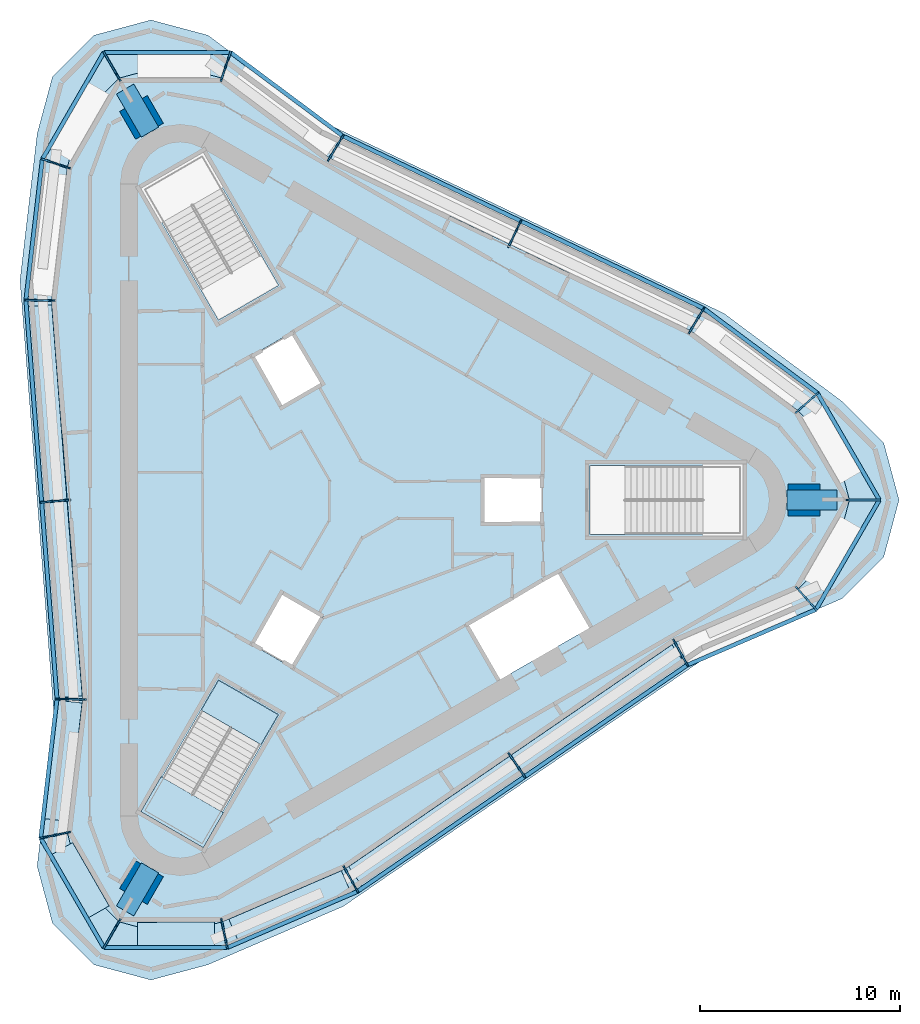
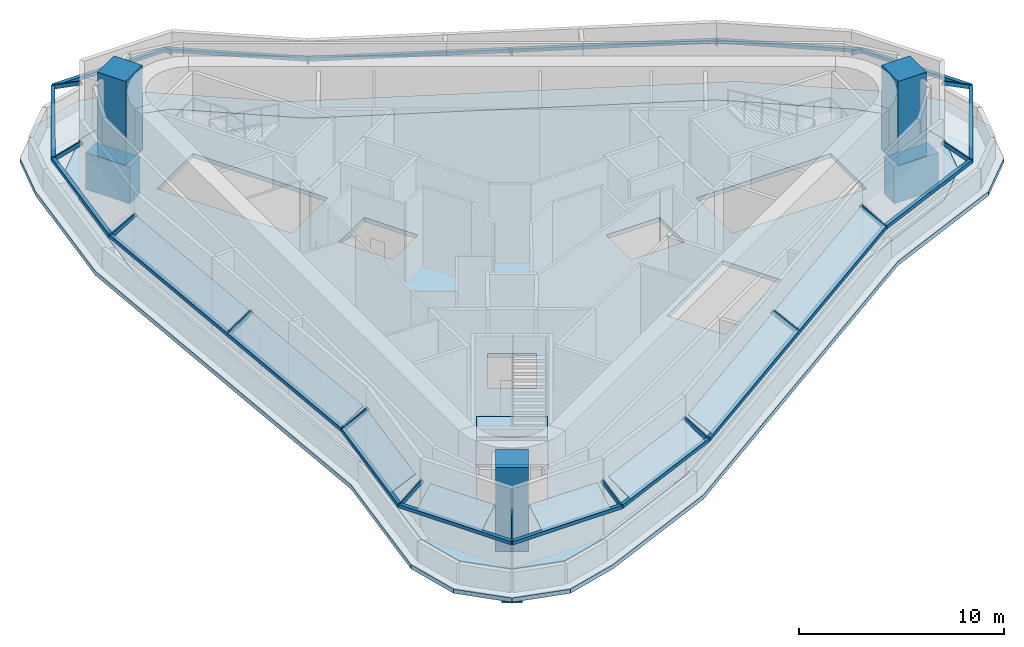
# One storey, part 1 of 7: 33 members, 8 plates, 4 slabs, 3 beams, 3 columns, 2 elements without a shape of their own.
"""IFC4 building model written with IfcOpenShell, lengths in metres."""

import ifcopenshell
import ifcopenshell.guid

model = None  # the IFC model being written
_history = None  # IfcOwnerHistory: only IFC2X3 demands one
_inside = {}  # id of a spatial element -> (the spatial element, [elements in it])
_under = {}  # id of a project, library or spatial element -> (it, [spatial elements below it])
_declared = {}  # id of a project -> (the project, [libraries it declares])
_typed = {}  # id of a type object -> (the type object, [elements of that type])
_made_of = {}  # id of a material, layer set ... -> (it, [elements and type objects made of it])


def new_model(schema):
    """Start an empty IFC model of exactly this schema.

    Asked for "IFC4X3", IfcOpenShell would pick the latest addendum, in which some entities
    have other attributes; the version numbers below select the first issue.
    IFC2X3 requires an IfcOwnerHistory on every rooted entity: one is made here for all.
    """
    global model, _history
    if schema == "IFC4X3":
        model = ifcopenshell.file(schema_version=(4, 3, 0, 0))
    else:
        model = ifcopenshell.file(schema=schema)
    _inside.clear()
    _under.clear()
    _declared.clear()
    _typed.clear()
    _made_of.clear()
    _history = None
    if model.schema == "IFC2X3":
        org = make("IfcOrganization", Name="unknown")
        user = make(
            "IfcPersonAndOrganization",
            ThePerson=make("IfcPerson", FamilyName="unknown"),
            TheOrganization=org,
        )
        app = make(
            "IfcApplication",
            ApplicationDeveloper=org,
            Version="unknown",
            ApplicationFullName="unknown",
            ApplicationIdentifier="unknown",
        )
        _history = make(
            "IfcOwnerHistory",
            OwningUser=user,
            OwningApplication=app,
            ChangeAction="ADDED",
            CreationDate=0,
        )
    return model


def make(cls, **values):
    """One entity of the class cls with the attributes given. An attribute that is None is left unset."""
    return model.create_entity(
        cls, **{name: value for name, value in values.items() if value is not None}
    )


def rooted(cls, **values):
    """An entity with a GlobalId (a new one), such as an element, a storey or a relation."""
    return make(cls, GlobalId=ifcopenshell.guid.new(), OwnerHistory=_history, **values)


def si_unit(unit_type, name, prefix=None):
    """IfcSIUnit, for example si_unit("LENGTHUNIT", "METRE", prefix="MILLI")."""
    return make("IfcSIUnit", UnitType=unit_type, Prefix=prefix, Name=name)


def assignment(units):
    """IfcUnitAssignment: the units of a project."""
    return None if units is None else make("IfcUnitAssignment", Units=units)


def point(xyz):
    """IfcCartesianPoint."""
    return None if xyz is None else make("IfcCartesianPoint", Coordinates=xyz)


def direction(xyz):
    """IfcDirection."""
    return None if xyz is None else make("IfcDirection", DirectionRatios=xyz)


def frame(location, z_axis=None, x_axis=None):
    """IfcAxis2Placement3D, a coordinate frame: its origin and axes. An axis left out is left unset."""
    return make(
        "IfcAxis2Placement3D",
        Location=point(location),
        Axis=direction(z_axis),
        RefDirection=direction(x_axis),
    )


def frame_2d(location, x_axis=None):
    """IfcAxis2Placement2D, a coordinate frame in the plane: its origin and x axis."""
    return make(
        "IfcAxis2Placement2D", Location=point(location), RefDirection=direction(x_axis)
    )


def origin():
    """The frame at (0, 0, 0) with its axes left unset."""
    return frame((0.0, 0.0, 0.0))


def origin_2d():
    """The frame at (0, 0) in the plane with its x axis left unset."""
    return frame_2d((0.0, 0.0))


def place(relative_to, where):
    """IfcLocalPlacement: puts the frame where relative to a parent placement (None: the world)."""
    return make(
        "IfcLocalPlacement", PlacementRelTo=relative_to, RelativePlacement=where
    )


def context(
    kind, dimensions, precision=None, world=None, true_north=None, identifier=None
):
    """IfcGeometricRepresentationContext, for example the 3D "Model" context."""
    return make(
        "IfcGeometricRepresentationContext",
        ContextIdentifier=identifier,
        ContextType=kind,
        CoordinateSpaceDimension=dimensions,
        Precision=precision,
        WorldCoordinateSystem=world,
        TrueNorth=true_north,
    )


def subcontext(parent, identifier, kind, view, scale=None):
    """IfcGeometricRepresentationSubContext, for example "Body" below "Model"."""
    return make(
        "IfcGeometricRepresentationSubContext",
        ContextIdentifier=identifier,
        ContextType=kind,
        ParentContext=parent,
        TargetScale=scale,
        TargetView=view,
    )


def project(units=None, contexts=None):
    """IfcProject with its units and contexts."""
    return rooted(
        "IfcProject",
        Name="project",
        RepresentationContexts=contexts,
        UnitsInContext=assignment(units),
    )


def spatial(cls, under=None, at=None, **own):
    """A site, building, storey or space (cls), placed at a placement, below another one or the project."""
    s = rooted(cls, ObjectPlacement=at, **own)
    if under is not None:
        _under.setdefault(under.id(), (under, []))[1].append(s)
    return s


def polyline(points):
    """IfcPolyline through the points."""
    return make("IfcPolyline", Points=[point(p) for p in points])


def profile(cls, at=None, kind="AREA", **sizes):
    """A parametric profile (cls). Its sizes go by their IFC names, for example OverallWidth=200.0."""
    return make(cls, ProfileType=kind, Position=at, **sizes)


def rectangle(**sizes):
    """IfcRectangleProfileDef."""
    return profile("IfcRectangleProfileDef", **sizes)


def outline(outer, holes=None, kind="AREA"):
    """IfcArbitraryClosedProfileDef: a profile drawn as a closed curve; with holes, ...WithVoids."""
    if holes is None:
        return make("IfcArbitraryClosedProfileDef", ProfileType=kind, OuterCurve=outer)
    return make(
        "IfcArbitraryProfileDefWithVoids",
        ProfileType=kind,
        OuterCurve=outer,
        InnerCurves=holes,
    )


def extrude(swept, where, along, depth):
    """IfcExtrudedAreaSolid: the profile swept, set in the frame where, extruded along a direction by depth."""
    return make(
        "IfcExtrudedAreaSolid",
        SweptArea=swept,
        Position=where,
        ExtrudedDirection=direction(along),
        Depth=depth,
    )


def shape(context_of_items, identifier, shape_type, items):
    """IfcShapeRepresentation: the items that make up one representation, for example the "Body"."""
    return make(
        "IfcShapeRepresentation",
        ContextOfItems=context_of_items,
        RepresentationIdentifier=identifier,
        RepresentationType=shape_type,
        Items=items,
    )


def material(Name=None, Category=None):
    """IfcMaterial."""
    return make("IfcMaterial", Name=Name, Category=Category)


def layer(
    of_material, thickness, ventilated=None, Name=None, Category=None, Priority=None
):
    """IfcMaterialLayer: one layer of a wall or slab, of a material (None: an air gap)."""
    return make(
        "IfcMaterialLayer",
        Material=of_material,
        LayerThickness=thickness,
        IsVentilated=ventilated,
        Name=Name,
        Category=Category,
        Priority=Priority,
    )


def layer_set(layers, Name=None):
    """IfcMaterialLayerSet."""
    return make("IfcMaterialLayerSet", MaterialLayers=layers, LayerSetName=Name)


def material_profile(
    of_material, cross_section, Name=None, Category=None, Priority=None
):
    """IfcMaterialProfile: a cross section and its material."""
    return make(
        "IfcMaterialProfile",
        Name=Name,
        Material=of_material,
        Profile=cross_section,
        Priority=Priority,
        Category=Category,
    )


def profile_set(profiles, Name=None, composite=None):
    """IfcMaterialProfileSet."""
    return make(
        "IfcMaterialProfileSet",
        Name=Name,
        MaterialProfiles=profiles,
        CompositeProfile=composite,
    )


def made_of(thing, what):
    """Note that an element or type object is made of a material, layer set ...; save() writes the relation."""
    if what is not None:
        _made_of.setdefault(what.id(), (what, []))[1].append(thing)
    return thing


def type_object(cls, material=None, **own):
    """A type object (cls), such as IfcWallType, which elements share."""
    return made_of(rooted(cls, **own), material)


def element(
    cls,
    number,
    at=None,
    inside=None,
    cuts=None,
    type_object=None,
    material=None,
    context=None,
    identifier="Body",
    shape_type=None,
    held_by="IfcProductDefinitionShape",
    body=None,
    shapes=None,
    **own,
):
    """One element of the class cls, such as IfcWall. Its Tag is "e" and its number.

    at: its placement. inside: the storey or other place that contains it. cuts: it is an
    opening in that element (IfcRelVoidsElement). A single representation is given by context,
    identifier, shape_type and body (its items); several are given by shapes. held_by: the class
    of the entity that holds the representations. save() writes the other relations.
    """
    e = rooted(cls, Tag="e%d" % number, ObjectPlacement=at, **own)
    if body is not None:
        shapes = [shape(context, identifier, shape_type, body)]
    if shapes is not None:
        e.Representation = make(held_by, Representations=shapes)
    if inside is not None:
        _inside.setdefault(inside.id(), (inside, []))[1].append(e)
    if cuts is not None:
        rooted(
            "IfcRelVoidsElement", RelatingBuildingElement=cuts, RelatedOpeningElement=e
        )
    if type_object is not None:
        _typed.setdefault(type_object.id(), (type_object, []))[1].append(e)
    return made_of(e, material)


def aggregate(whole, parts):
    """IfcRelAggregates: a whole, such as a stair, and the parts it consists of."""
    return rooted("IfcRelAggregates", RelatingObject=whole, RelatedObjects=parts)


def save(model, path):
    """Write the relations noted so far, then the file.

    IfcRelAggregates (storeys below a building ...), IfcRelContainedInSpatialStructure (elements
    in a storey), IfcRelDefinesByType, IfcRelAssociatesMaterial and IfcRelDeclares: one each for
    every whole, place, type object, material and project.
    """
    for whole, parts in _under.values():
        aggregate(whole, parts)
    for where, things in _inside.values():
        rooted(
            "IfcRelContainedInSpatialStructure",
            RelatedElements=things,
            RelatingStructure=where,
        )
    for kind, things in _typed.values():
        rooted("IfcRelDefinesByType", RelatedObjects=things, RelatingType=kind)
    for what, things in _made_of.values():
        rooted("IfcRelAssociatesMaterial", RelatedObjects=things, RelatingMaterial=what)
    for by, libraries in _declared.values():
        rooted("IfcRelDeclares", RelatingContext=by, RelatedDefinitions=libraries)
    model.write(path)


model = new_model("IFC4")

# Units and contexts
model_context = context("Model", 3, precision=1e-05, world=origin(), true_north=direction((0.0, 1.0)))
body_context = subcontext(model_context, "Body", "Model", "MODEL_VIEW")
ifc_project = project(units=[si_unit("LENGTHUNIT", "METRE"), si_unit("AREAUNIT", "SQUARE_METRE"), si_unit("VOLUMEUNIT", "CUBIC_METRE"), si_unit("PLANEANGLEUNIT", "RADIAN"), si_unit("MASSUNIT", "GRAM", prefix="KILO")], contexts=[model_context])

# Site, building, storey
site_placement = place(None, origin())
site = spatial("IfcSite", under=ifc_project, at=site_placement, CompositionType="ELEMENT")
building_placement = place(site_placement, origin())
building = spatial("IfcBuilding", under=site, at=building_placement, Name="Tanit Gate Tower", CompositionType="ELEMENT")
storey_placement = place(building_placement, frame((0.0, 0.0, 425.300048828125)))
storey = spatial("IfcBuildingStorey", under=building, at=storey_placement, Name="L96", CompositionType="ELEMENT", Elevation=425.300048828125)

# Columns
ifc_material_1 = material(Name="Concrete C40/50", Category="concrete")
ifc_material_profile_1 = material_profile(ifc_material_1, rectangle(XDim=1.60009765625, YDim=1.60009765625, at=origin_2d()), Name="RC 1600x1600")
ifc_profile_set_1 = profile_set([ifc_material_profile_1], Name="Concrete C40/50")
column_type = type_object("IfcColumnType", Name="MEGA COLUMN 1600x1600 C40/50", PredefinedType="COLUMN", material=ifc_profile_set_1)
for number, where, z_axis, x_axis, name in (
    (1, (22.051025390625, 0.0, -0.25), (0.0, 0.0, 1.0), (1.0, 0.0, 0.0), "MEGA COLUMN"),
    (2, (-11.025390625, 19.0966796875, -0.25), (0.0, 0.0, 1.0), (-0.5, 0.866025403784, 0.0), "MEGA COLUMN"),
    (3, (-11.025390625, -19.0966796875, -0.25), (0.0, 0.0, 1.0), (-0.5, -0.866025403784, 0.0), "MEGA COLUMN"),
):
    element("IfcColumn", number, at=place(storey_placement, frame(where, z_axis=z_axis, x_axis=x_axis)), inside=storey, type_object=column_type, Name=name, PredefinedType="COLUMN", context=body_context, shape_type="SweptSolid", body=[
        extrude(rectangle(XDim=1.60009765625, YDim=1.60009765625, at=origin_2d()), origin(), (0.0, 0.0, 1.0), 5.25),
    ])

# Curtain wall, members
ifc_material_2 = material(Name="Aluminium bronze anodised and glass", Category="aluminium")
curtain_wall_type = type_object("IfcCurtainWallType", Name="Curtain wall crown roof", PredefinedType="NOTDEFINED", material=ifc_material_2)
curtain_wall_placement = place(storey_placement, origin())
curtain_wall = element("IfcCurtainWall", 4, at=curtain_wall_placement, inside=storey, type_object=curtain_wall_type, Name="Glass roof L96", PredefinedType="NOTDEFINED")
ifc_material_3 = material(Name="Aluminium bronze anodised", Category="aluminium")
ifc_material_profile_2 = material_profile(ifc_material_3, rectangle(XDim=0.080078125, YDim=0.219970703125, at=origin_2d()), Name="80x220 bronze rafter")
ifc_profile_set_2 = profile_set([ifc_material_profile_2], Name="Aluminium bronze anodised")
member_type_1 = type_object("IfcMemberType", Name="Mullion 80x220 crown roof", PredefinedType="MULLION", material=ifc_profile_set_2)
member_1_placement = place(storey_placement, frame((21.654052734375, 4.375, 3.408203125), z_axis=(0.649919908863, 0.578995224231, -0.492309498569), x_axis=(-0.665190458128, 0.746673726882, 0.0)))
member_1 = element("IfcMember", 5, at=member_1_placement, type_object=member_type_1, Name="Roof rafter L96 NE1.1", PredefinedType="MULLION", context=body_context, shape_type="SweptSolid", body=[
    extrude(rectangle(XDim=0.080078125, YDim=0.219970703125, at=origin_2d()), origin(), (0.0, 0.0, 1.0), 1.641845703125),
])
member_2_placement = place(storey_placement, frame((16.3125, 8.353271484375, 3.408203125), z_axis=(0.447987179673, 0.742331460304, -0.498248421866), x_axis=(-0.856173099661, 0.516689097444, 0.0)))
member_2 = element("IfcMember", 6, at=member_2_placement, type_object=member_type_1, Name="Roof rafter L96 NE1.2", PredefinedType="MULLION", context=body_context, shape_type="SweptSolid", body=[
    extrude(rectangle(XDim=0.080078125, YDim=0.219970703125, at=origin_2d()), origin(), (0.0, 0.0, 1.0), 1.622314453125),
])
member_3_placement = place(storey_placement, frame((7.3046875, 12.65673828125, 3.408203125), z_axis=(0.373331354962, 0.781398232433, -0.500040500113), x_axis=(-0.902305323306, 0.431097556864, 0.0)))
member_3 = element("IfcMember", 7, at=member_3_placement, type_object=member_type_1, Name="Roof rafter L96 NE2.2", PredefinedType="MULLION", context=body_context, shape_type="SweptSolid", body=[
    extrude(rectangle(XDim=0.080078125, YDim=0.219970703125, at=origin_2d()), origin(), (0.0, 0.0, 1.0), 1.616455078125),
])
member_4_placement = place(storey_placement, frame((-1.703125, 16.960205078125, 3.408203125), z_axis=(0.447866885512, 0.742381500749, -0.498282008713), x_axis=(-0.856249875895, 0.516561854989, 0.0)))
member_4 = element("IfcMember", 8, at=member_4_placement, type_object=member_type_1, Name="Roof rafter L96 NE2.3", PredefinedType="MULLION", context=body_context, shape_type="SweptSolid", body=[
    extrude(rectangle(XDim=0.080078125, YDim=0.219970703125, at=origin_2d()), origin(), (0.0, 0.0, 1.0), 1.622314453125),
])
member_5_placement = place(storey_placement, frame((-7.052001953125, 20.944091796875, 3.408203125), z_axis=(0.276257569237, 0.832256775847, -0.480656233181), x_axis=(-0.949079861612, 0.315035579391, 0.0)))
member_5 = element("IfcMember", 9, at=member_5_placement, type_object=member_type_1, Name="Roof rafter L96 NE3.2", PredefinedType="MULLION", context=body_context, shape_type="SweptSolid", body=[
    extrude(rectangle(XDim=0.080078125, YDim=0.219970703125, at=origin_2d()), origin(), (0.0, 0.0, 1.0), 1.681640625),
])
member_6_placement = place(storey_placement, frame((-12.093505859375, 20.9462890625, 3.408203125), z_axis=(-0.447482456759, 0.774520027752, -0.447077373062), x_axis=(-0.865873791687, -0.500262507959, 0.0)))
member_6 = element("IfcMember", 10, at=member_6_placement, type_object=member_type_1, Name="Roof rafter L96 NW.arc1.2", PredefinedType="MULLION", context=body_context, shape_type="SweptSolid", body=[
    extrude(rectangle(XDim=0.080078125, YDim=0.219970703125, at=origin_2d()), origin(), (0.0, 0.0, 1.0), 1.80810546875),
])
member_7_placement = place(storey_placement, frame((-14.61572265625, 16.5654296875, 3.408203125), z_axis=(-0.826420704175, 0.273392278283, -0.492225031755), x_axis=(-0.314075051645, -0.949398157747, 0.0)))
member_7 = element("IfcMember", 11, at=member_7_placement, type_object=member_type_1, Name="Roof rafter L96 NW.arc2.2", PredefinedType="MULLION", context=body_context, shape_type="SweptSolid", body=[
    extrude(rectangle(XDim=0.080078125, YDim=0.219970703125, at=origin_2d()), origin(), (0.0, 0.0, 1.0), 1.642333984375),
])
member_8_placement = place(storey_placement, frame((-15.390380859375, 9.950439453125, 3.408203125), z_axis=(-0.866885575782, 0.016853182518, -0.498222208196), x_axis=(-0.019437396374, -0.999811075965, 0.0)))
member_8 = element("IfcMember", 12, at=member_8_placement, type_object=member_type_1, Name="Roof rafter L96 W1.2", PredefinedType="MULLION", context=body_context, shape_type="SweptSolid", body=[
    extrude(rectangle(XDim=0.080078125, YDim=0.219970703125, at=origin_2d()), origin(), (0.0, 0.0, 1.0), 1.62255859375),
])
member_9_placement = place(storey_placement, frame((-14.613525390625, -0.00244140625, 3.408203125), z_axis=(-0.863385119801, -0.067355214873, -0.500029409071), x_axis=(0.077776627829, -0.996970810086, 0.0)))
member_9 = element("IfcMember", 13, at=member_9_placement, type_object=member_type_1, Name="Roof rafter L96 W2.2", PredefinedType="MULLION", context=body_context, shape_type="SweptSolid", body=[
    extrude(rectangle(XDim=0.080078125, YDim=0.219970703125, at=origin_2d()), origin(), (0.0, 0.0, 1.0), 1.61669921875),
])
member_10_placement = place(storey_placement, frame((-13.83642578125, -9.955078125, 3.408203125), z_axis=(-0.866850363127, 0.016704928873, -0.498288463943), x_axis=(-0.019267256073, -0.999814369192, 0.0)))
member_10 = element("IfcMember", 14, at=member_10_placement, type_object=member_type_1, Name="Roof rafter L96 W2.3", PredefinedType="MULLION", context=body_context, shape_type="SweptSolid", body=[
    extrude(rectangle(XDim=0.080078125, YDim=0.219970703125, at=origin_2d()), origin(), (0.0, 0.0, 1.0), 1.622314453125),
])
member_11_placement = place(storey_placement, frame((-14.612060546875, -16.5791015625, 3.408203125), z_axis=(-0.858872121522, -0.177087035365, -0.480602601717), x_axis=(0.201937803647, -0.97939834769, 0.0)))
member_11 = element("IfcMember", 15, at=member_11_placement, type_object=member_type_1, Name="Roof rafter L96 W3.2", PredefinedType="MULLION", context=body_context, shape_type="SweptSolid", body=[
    extrude(rectangle(XDim=0.080078125, YDim=0.219970703125, at=origin_2d()), origin(), (0.0, 0.0, 1.0), 1.681884765625),
])
member_12_placement = place(storey_placement, frame((-12.093505859375, -20.9462890625, 3.408203125), z_axis=(-0.446910042387, -0.774869103703, -0.447045060526), x_axis=(0.86624840134, -0.499613557838, 0.0)))
member_12 = element("IfcMember", 16, at=member_12_placement, type_object=member_type_1, Name="Roof rafter L96 SW.arc1.2", PredefinedType="MULLION", context=body_context, shape_type="SweptSolid", body=[
    extrude(rectangle(XDim=0.080078125, YDim=0.219970703125, at=origin_2d()), origin(), (0.0, 0.0, 1.0), 1.80810546875),
])
member_13_placement = place(storey_placement, frame((-7.0380859375, -20.9404296875, 3.408203125), z_axis=(0.176335471071, -0.852387230734, -0.49228224681), x_axis=(0.979265093691, 0.202583010835, 0.0)))
member_13 = element("IfcMember", 17, at=member_13_placement, type_object=member_type_1, Name="Roof rafter L96 SW.arc2.2", PredefinedType="MULLION", context=body_context, shape_type="SweptSolid", body=[
    extrude(rectangle(XDim=0.080078125, YDim=0.219970703125, at=origin_2d()), origin(), (0.0, 0.0, 1.0), 1.64208984375),
])
member_14_placement = place(storey_placement, frame((-0.922119140625, -18.3037109375, 3.408203125), z_axis=(0.418917146895, -0.759136855634, -0.498216477503), x_axis=(0.87553718172, 0.483150746067, 0.0)))
member_14 = element("IfcMember", 18, at=member_14_placement, type_object=member_type_1, Name="Roof rafter L96 SE1.2", PredefinedType="MULLION", context=body_context, shape_type="SweptSolid", body=[
    extrude(rectangle(XDim=0.080078125, YDim=0.219970703125, at=origin_2d()), origin(), (0.0, 0.0, 1.0), 1.62255859375),
])
member_15_placement = place(storey_placement, frame((7.308837890625, -12.654541015625, 3.408203125), z_axis=(0.49010928052, -0.713943472732, -0.500077604869), x_axis=(0.824433570123, 0.56595873388, 0.0)))
member_15 = element("IfcMember", 19, at=member_15_placement, type_object=member_type_1, Name="Roof rafter L96 SE2.2", PredefinedType="MULLION", context=body_context, shape_type="SweptSolid", body=[
    extrude(rectangle(XDim=0.080078125, YDim=0.219970703125, at=origin_2d()), origin(), (0.0, 0.0, 1.0), 1.616455078125),
])
member_16_placement = place(storey_placement, frame((15.53955078125, -7.005126953125, 3.408203125), z_axis=(0.418965003126, -0.75907308756, -0.498273392726), x_axis=(0.875496660947, 0.483224168136, 0.0)))
member_16 = element("IfcMember", 20, at=member_16_placement, type_object=member_type_1, Name="Roof rafter L96 SE2.3", PredefinedType="MULLION", context=body_context, shape_type="SweptSolid", body=[
    extrude(rectangle(XDim=0.080078125, YDim=0.219970703125, at=origin_2d()), origin(), (0.0, 0.0, 1.0), 1.622314453125),
])
member_17_placement = place(storey_placement, frame((21.6640625, -4.364990234375, 3.408203125), z_axis=(0.582712274519, -0.65529726138, -0.480657782993), x_axis=(0.747281433664, 0.664507681597, 0.0)))
member_17 = element("IfcMember", 21, at=member_17_placement, type_object=member_type_1, Name="Roof rafter L96 SE3.2", PredefinedType="MULLION", context=body_context, shape_type="SweptSolid", body=[
    extrude(rectangle(XDim=0.080078125, YDim=0.219970703125, at=origin_2d()), origin(), (0.0, 0.0, 1.0), 1.681640625),
])
member_18_placement = place(storey_placement, frame((24.186767578125, 0.0, 3.408203125), z_axis=(0.894508155773, 0.000270040198, -0.447051547738), x_axis=(-0.000301886779, 0.999999954432, 0.0)))
member_18 = element("IfcMember", 22, at=member_18_placement, type_object=member_type_1, Name="Roof rafter L96 E.arc1.2", PredefinedType="MULLION", context=body_context, shape_type="SweptSolid", body=[
    extrude(rectangle(XDim=0.080078125, YDim=0.219970703125, at=origin_2d()), origin(), (0.0, 0.0, 1.0), 1.80810546875),
])

# Beams
ifc_material_4 = material(Name="Concrete C60/75", Category="concrete")
ifc_material_profile_3 = material_profile(ifc_material_4, rectangle(XDim=1.0, YDim=2.199951171875, at=origin_2d()), Name="RC 1000x2200")
ifc_profile_set_3 = profile_set([ifc_material_profile_3], Name="Concrete C60/75")
beam_type = type_object("IfcBeamType", Name="TRANSFER GIRDER 1000x2200 C60/75", PredefinedType="USERDEFINED", material=ifc_profile_set_3)
for number, where, z_axis, x_axis, name in (
    (23, (-11.843017578125, -20.5126953125, -1.35009765625), (0.50007126275, 0.865984256307, 0.0), (-0.865984256307, 0.50007126275, 0.0), "TRANSFER GIRDER"),
    (24, (23.68603515625, 0.0, -1.35009765625), (-1.0, 0.0, 0.0), (0.0, -1.0, 0.0), "TRANSFER GIRDER"),
    (25, (-11.843017578125, 20.5126953125, -1.35009765625), (0.50007126275, -0.865984256307, 0.0), (0.865984256307, 0.50007126275, 0.0), "TRANSFER GIRDER"),
):
    element("IfcBeam", number, at=place(storey_placement, frame(where, z_axis=z_axis, x_axis=x_axis)), inside=storey, type_object=beam_type, Name=name, ObjectType="GIRDER", PredefinedType="USERDEFINED", context=body_context, shape_type="SweptSolid", body=[
        extrude(rectangle(XDim=1.0, YDim=2.199951171875, at=origin_2d()), origin(), (0.0, 0.0, 1.0), 2.484130859375),
    ])

# Member
ifc_material_5 = material(Name="Aluminium bronze anodised", Category="aluminium")
ifc_material_profile_4 = material_profile(ifc_material_5, rectangle(XDim=0.199951171875, YDim=0.199951171875, at=origin_2d()), Name="200x200 bronze transom")
ifc_profile_set_4 = profile_set([ifc_material_profile_4], Name="Aluminium bronze anodised")
member_type_2 = type_object("IfcMemberType", Name="Transom 200x200 crown roof", PredefinedType="USERDEFINED", material=ifc_profile_set_4)
member_19_placement = place(storey_placement, frame((22.72119140625, 5.32568359375, 2.626953125), z_axis=(-0.801992882274, 0.597333589195, 0.0), x_axis=(-0.597333589195, -0.801992882274, 0.0)))
member_19 = element("IfcMember", 26, at=member_19_placement, type_object=member_type_2, Name="Eave beam L96 NE1", ObjectType="TRANSOM", PredefinedType="USERDEFINED", context=body_context, shape_type="SweptSolid", body=[
    extrude(rectangle(XDim=0.199951171875, YDim=0.199951171875, at=origin_2d()), origin(), (0.0, 0.0, 1.0), 7.084716796875),
])

member_20_placement = place(storey_placement, frame((17.039306640625, 9.5576171875, 2.626953125), z_axis=(-0.902316446256, 0.431074275288, 0.0), x_axis=(-0.431074275288, -0.902316446256, 0.0)))
member_20 = element("IfcMember", 27, at=member_20_placement, type_object=member_type_2, Name="Eave beam L96 NE2", ObjectType="TRANSOM", PredefinedType="USERDEFINED", context=body_context, shape_type="SweptSolid", body=[
    extrude(rectangle(XDim=0.199951171875, YDim=0.199951171875, at=origin_2d()), origin(), (0.0, 0.0, 1.0), 19.96630859375),
])

member_21_placement = place(storey_placement, frame((-0.9765625, 18.16455078125, 2.626953125), z_axis=(-0.801980508518, 0.597350202107, 0.0), x_axis=(-0.597350202107, -0.801980508518, 0.0)))
member_21 = element("IfcMember", 28, at=member_21_placement, type_object=member_type_2, Name="Eave beam L96 NE3", ObjectType="TRANSOM", PredefinedType="USERDEFINED", context=body_context, shape_type="SweptSolid", body=[
    extrude(rectangle(XDim=0.199951171875, YDim=0.199951171875, at=origin_2d()), origin(), (0.0, 0.0, 1.0), 6.996337890625),
])

member_22_placement = place(storey_placement, frame((-6.58740234375, 22.34375, 2.626953125), z_axis=(-0.999999892393, 0.000463911498, 0.0), x_axis=(-0.000463911498, -0.999999892393, 0.0)))
member_22 = element("IfcMember", 29, at=member_22_placement, type_object=member_type_2, Name="Eave beam L96 NW.arc1", ObjectType="TRANSOM", PredefinedType="USERDEFINED", context=body_context, shape_type="SweptSolid", body=[
    extrude(rectangle(XDim=0.199951171875, YDim=0.199951171875, at=origin_2d()), origin(), (0.0, 0.0, 1.0), 6.315185546875),
])

member_23_placement = place(storey_placement, frame((-12.902587890625, 22.3466796875, 2.626953125), z_axis=(-0.498990632125, -0.866607378835, 0.0), x_axis=(0.866607378835, -0.498990632125, 0.0)))
member_23 = element("IfcMember", 30, at=member_23_placement, type_object=member_type_2, Name="Eave beam L96 NW.arc2", ObjectType="TRANSOM", PredefinedType="USERDEFINED", context=body_context, shape_type="SweptSolid", body=[
    extrude(rectangle(XDim=0.199951171875, YDim=0.199951171875, at=origin_2d()), origin(), (0.0, 0.0, 1.0), 6.153076171875),
])

member_24_placement = place(storey_placement, frame((-15.972900390625, 17.014404296875, 2.626953125), z_axis=(-0.116303391567, -0.993213733851, 0.0), x_axis=(0.993213733851, -0.116303391567, 0.0)))
member_24 = element("IfcMember", 31, at=member_24_placement, type_object=member_type_2, Name="Eave beam L96 W1", ObjectType="TRANSOM", PredefinedType="USERDEFINED", context=body_context, shape_type="SweptSolid", body=[
    extrude(rectangle(XDim=0.199951171875, YDim=0.199951171875, at=origin_2d()), origin(), (0.0, 0.0, 1.0), 7.084716796875),
])

member_25_placement = place(storey_placement, frame((-16.796875, 9.977783203125, 2.626953125), z_axis=(0.077840952463, -0.996965789844, 0.0), x_axis=(0.996965789844, 0.077840952463, 0.0)))
member_25 = element("IfcMember", 32, at=member_25_placement, type_object=member_type_2, Name="Eave beam L96 W2", ObjectType="TRANSOM", PredefinedType="USERDEFINED", context=body_context, shape_type="SweptSolid", body=[
    extrude(rectangle(XDim=0.199951171875, YDim=0.199951171875, at=origin_2d()), origin(), (0.0, 0.0, 1.0), 19.96630859375),
])

member_26_placement = place(storey_placement, frame((-15.24267578125, -9.927978515625, 2.626953125), z_axis=(-0.116339129197, -0.993209548392, 0.0), x_axis=(0.993209548392, -0.116339129197, 0.0)))
member_26 = element("IfcMember", 33, at=member_26_placement, type_object=member_type_2, Name="Eave beam L96 W3", ObjectType="TRANSOM", PredefinedType="USERDEFINED", context=body_context, shape_type="SweptSolid", body=[
    extrude(rectangle(XDim=0.199951171875, YDim=0.199951171875, at=origin_2d()), origin(), (0.0, 0.0, 1.0), 6.99658203125),
])

member_27_placement = place(storey_placement, frame((-16.056640625, -16.876953125, 2.626953125), z_axis=(0.499603079046, -0.866254444957, 0.0), x_axis=(0.866254444957, 0.499603079046, 0.0)))
member_27 = element("IfcMember", 34, at=member_27_placement, type_object=member_type_2, Name="Eave beam L96 SW.arc1", ObjectType="TRANSOM", PredefinedType="USERDEFINED", context=body_context, shape_type="SweptSolid", body=[
    extrude(rectangle(XDim=0.199951171875, YDim=0.199951171875, at=origin_2d()), origin(), (0.0, 0.0, 1.0), 6.315185546875),
])

member_28_placement = place(storey_placement, frame((-12.901611328125, -22.347412109375, 2.626953125), z_axis=(0.999999291553, 0.001190333641, 0.0), x_axis=(-0.001190333641, 0.999999291553, 0.0)))
member_28 = element("IfcMember", 35, at=member_28_placement, type_object=member_type_2, Name="Eave beam L96 SW.arc2", ObjectType="TRANSOM", PredefinedType="USERDEFINED", context=body_context, shape_type="SweptSolid", body=[
    extrude(rectangle(XDim=0.199951171875, YDim=0.199951171875, at=origin_2d()), origin(), (0.0, 0.0, 1.0), 6.153076171875),
])

member_29_placement = place(storey_placement, frame((-6.74853515625, -22.340087890625, 2.626953125), z_axis=(0.918307024295, 0.395868929232, 0.0), x_axis=(-0.395868929232, 0.918307024295, 0.0)))
member_29 = element("IfcMember", 36, at=member_29_placement, type_object=member_type_2, Name="Eave beam L96 SE1", ObjectType="TRANSOM", PredefinedType="USERDEFINED", context=body_context, shape_type="SweptSolid", body=[
    extrude(rectangle(XDim=0.199951171875, YDim=0.199951171875, at=origin_2d()), origin(), (0.0, 0.0, 1.0), 7.0849609375),
])

member_30_placement = place(storey_placement, frame((-0.242431640625, -19.535400390625, 2.626953125), z_axis=(0.824475878393, 0.565897098374, 0.0), x_axis=(-0.565897098374, 0.824475878393, 0.0)))
member_30 = element("IfcMember", 37, at=member_30_placement, type_object=member_type_2, Name="Eave beam L96 SE2", ObjectType="TRANSOM", PredefinedType="USERDEFINED", context=body_context, shape_type="SweptSolid", body=[
    extrude(rectangle(XDim=0.199951171875, YDim=0.199951171875, at=origin_2d()), origin(), (0.0, 0.0, 1.0), 19.96630859375),
])

member_31_placement = place(storey_placement, frame((16.21923828125, -8.236572265625, 2.626953125), z_axis=(0.918312713642, 0.395855731249, 0.0), x_axis=(-0.395855731249, 0.918312713642, 0.0)))
member_31 = element("IfcMember", 38, at=member_31_placement, type_object=member_type_2, Name="Eave beam L96 SE3", ObjectType="TRANSOM", PredefinedType="USERDEFINED", context=body_context, shape_type="SweptSolid", body=[
    extrude(rectangle(XDim=0.199951171875, YDim=0.199951171875, at=origin_2d()), origin(), (0.0, 0.0, 1.0), 6.996337890625),
])

member_32_placement = place(storey_placement, frame((22.64404296875, -5.467041015625, 2.626953125), z_axis=(0.500412851083, 0.865786912855, 0.0), x_axis=(-0.865786912855, 0.500412851083, 0.0)))
member_32 = element("IfcMember", 39, at=member_32_placement, type_object=member_type_2, Name="Eave beam L96 E.arc1", ObjectType="TRANSOM", PredefinedType="USERDEFINED", context=body_context, shape_type="SweptSolid", body=[
    extrude(rectangle(XDim=0.199951171875, YDim=0.199951171875, at=origin_2d()), origin(), (0.0, 0.0, 1.0), 6.315185546875),
])

member_33_placement = place(storey_placement, frame((25.80419921875, 0.00048828125, 2.626953125), z_axis=(-0.501036270542, 0.865426285481, 0.0), x_axis=(-0.865426285481, -0.501036270542, 0.0)))
member_33 = element("IfcMember", 40, at=member_33_placement, type_object=member_type_2, Name="Eave beam L96 E.arc2", ObjectType="TRANSOM", PredefinedType="USERDEFINED", context=body_context, shape_type="SweptSolid", body=[
    extrude(rectangle(XDim=0.199951171875, YDim=0.199951171875, at=origin_2d()), origin(), (0.0, 0.0, 1.0), 6.1533203125),
])

# Slab
ifc_material_6 = material(Name="Concrete C35/45", Category="concrete")
ifc_layer_1 = layer(ifc_material_6, 0.25)
ifc_layer_set_1 = layer_set([ifc_layer_1], Name="CROWN FLOOR SLAB 250 C35/45")
slab_type_1 = type_object("IfcSlabType", Name="CROWN FLOOR SLAB 250 C35/45", PredefinedType="FLOOR", material=ifc_layer_set_1)
slab_1_placement = place(storey_placement, frame((0.0, 0.0, -0.25)))
element("IfcSlab", 41, at=slab_1_placement, inside=storey, type_object=slab_type_1, Name="FLOOR SLAB L96", PredefinedType="FLOOR", context=body_context, shape_type="SweptSolid", body=[
    extrude(outline(polyline([(21.732666015625, 4.466064453125), (23.6201171875, 2.578369140625), (24.31103515625, 0.0), (23.6201171875, -2.578369140625), (21.732666015625, -4.466064453125), (15.597900390625, -7.110595703125), (-0.864013671875, -18.409423828125), (-6.99853515625, -21.053955078125), (-9.5771484375, -21.744873046875), (-12.155517578125, -21.053955078125), (-14.043212890625, -19.16650390625), (-14.73388671875, -16.587890625), (-13.956787109375, -9.952880859375), (-15.510986328125, 9.952880859375), (-14.73388671875, 16.587890625), (-14.043212890625, 19.16650390625), (-12.155517578125, 21.053955078125), (-9.5771484375, 21.744873046875), (-6.99853515625, 21.053955078125), (-1.640869140625, 17.0634765625), (16.375, 8.45654296875), (21.732666015625, 4.466064453125)]), holes=[polyline([(11.3701171875, -1.72998046875), (11.3701171875, 1.72998046875), (18.929931640625, 1.72998046875), (18.929931640625, -1.72998046875), (11.3701171875, -1.72998046875)]), polyline([(9.82080078125, -3.510009765625), (11.44580078125, -6.324462890625), (6.76904296875, -9.0244140625), (5.14404296875, -6.2099609375), (9.82080078125, -3.510009765625)]), polyline([(6.0, -1.199951171875), (6.0, 1.199951171875), (9.0, 1.199951171875), (9.0, -1.199951171875), (6.0, -1.199951171875)]), polyline([(-1.960693359375, 5.796142578125), (-4.039306640625, 4.59619140625), (-5.539306640625, 7.194091796875), (-3.460693359375, 8.394287109375), (-1.960693359375, 5.796142578125)]), polyline([(-4.039306640625, -4.59619140625), (-1.960693359375, -5.796142578125), (-3.460693359375, -8.394287109375), (-5.539306640625, -7.194091796875), (-4.039306640625, -4.59619140625)]), polyline([(-4.186767578125, 10.711669921875), (-7.18310546875, 8.981689453125), (-10.963134765625, 15.52880859375), (-7.966796875, 17.2587890625), (-4.186767578125, 10.711669921875)]), polyline([(-7.18310546875, -8.981689453125), (-4.186767578125, -10.711669921875), (-7.966796875, -17.2587890625), (-10.963134765625, -15.52880859375), (-7.18310546875, -8.981689453125)])]), origin(), (0.0, 0.0, 1.0), 0.25),
])

# Plate
ifc_material_7 = material(Name="Glass tinted laminated safety", Category="glass")
ifc_layer_2 = layer(ifc_material_7, 0.033935546875)
ifc_layer_set_2 = layer_set([ifc_layer_2], Name="Glass panel 34 crown roof")
plate_type = type_object("IfcPlateType", Name="Glass panel 34 crown roof", PredefinedType="CURTAIN_PANEL", material=ifc_layer_set_2)
plate_1_placement = place(storey_placement, frame((-15.5068359375, 9.744140625, 3.498291015625), z_axis=(-0.498499011741, -0.038919545694, 0.866016168588), x_axis=(0.077836601319, -0.996966129563, 0.0)))
plate_1 = element("IfcPlate", 42, at=plate_1_placement, type_object=plate_type, Name="Roof glass panel L96 W2.1", PredefinedType="CURTAIN_PANEL", context=body_context, shape_type="SweptSolid", body=[
    extrude(outline(polyline([(0.0, 0.0), (9.726530517770666, -1.1102230246251565e-16), (9.726477455004023, -1.5473137811730489), (-5.306276664296859e-05, -1.5473137811730486), (0.0, 0.0)])), origin(), (0.0, 0.0, -1.0), 0.033935546875),
])

plate_2_placement = place(storey_placement, frame((-14.740478515625, -0.072509765625, 3.498291015625), z_axis=(-0.498498038138, -0.0389320203, 0.866016168306), x_axis=(0.077861549657, -0.996964181445, 0.0)))
plate_2 = element("IfcPlate", 43, at=plate_2_placement, type_object=plate_type, Name="Roof glass panel L96 W2.2", PredefinedType="CURTAIN_PANEL", context=body_context, shape_type="SweptSolid", body=[
    extrude(outline(polyline([(0.0, 0.0), (9.726549523892613, 1.1102230246251565e-16), (9.726462928617153, -1.5473137796597536), (-8.659527546248103e-05, -1.5473137796597538), (0.0, 0.0)])), origin(), (0.0, 0.0, -1.0), 0.033935546875),
])

plate_3_placement = place(storey_placement, frame((-13.990234375, -10.135009765625, 3.498291015625), z_axis=(-0.496612658813, 0.058163691565, 0.866021276927), x_axis=(-0.116339123123, -0.993209549073, -7.791248e-06)))
plate_3 = element("IfcPlate", 44, at=plate_3_placement, type_object=plate_type, Name="Roof glass panel L96 W3.1", PredefinedType="CURTAIN_PANEL", context=body_context, shape_type="SweptSolid", body=[
    extrude(outline(polyline([(0.0, 0.0), (5.949091533379944, 0.0), (5.948976384148503, -1.5472484625131653), (0.00015573667485670645, -1.5474338590277117), (0.0, 0.0)])), origin(), (0.0, 0.0, -1.0), 0.033935546875),
])

plate_4_placement = place(storey_placement, frame((-14.46484375, -17.098876953125, 3.498291015625), z_axis=(-0.433118547703, -0.249805296964, 0.866028658443), x_axis=(0.499616226877, -0.866246861952, 0.0)))
plate_4 = element("IfcPlate", 45, at=plate_4_placement, type_object=plate_type, Name="Roof glass panel L96 SW.arc1.1", PredefinedType="CURTAIN_PANEL", context=body_context, shape_type="SweptSolid", body=[
    extrude(outline(polyline([(0.0, 0.0), (3.6478194013373604, 0.0), (3.647715333141869, -1.547380727273913), (-0.00010406819549102497, -1.547380727273913), (0.0, 0.0)])), origin(), (0.0, 0.0, -1.0), 0.033935546875),
])

plate_5_placement = place(storey_placement, frame((-11.223388671875, -21.077392578125, 3.498291015625), z_axis=(0.000604390969, -0.499990381428, 0.866030746101), x_axis=(0.999999269396, 0.001208804308, 0.0)))
plate_5 = element("IfcPlate", 46, at=plate_5_placement, type_object=plate_type, Name="Roof glass panel L96 SW.arc2.1", PredefinedType="CURTAIN_PANEL", context=body_context, shape_type="SweptSolid", body=[
    extrude(outline(polyline([(0.0, 0.0), (3.837405147374298, 8.673617379884035e-19), (3.8374942264849623, -1.547391918142414), (8.907911066434076e-05, -1.547391918142414), (0.0, 0.0)])), origin(), (0.0, 0.0, -1.0), 0.033935546875),
])

plate_6_placement = place(storey_placement, frame((-6.666259765625, -20.923828125, 3.498291015625), z_axis=(0.19794927291, -0.459190011105, 0.866002666887), x_axis=(0.918310043307, 0.395861925864, -3.421751e-06)))
plate_6 = element("IfcPlate", 47, at=plate_6_placement, type_object=plate_type, Name="Roof glass panel L96 SE1.1", PredefinedType="CURTAIN_PANEL", context=body_context, shape_type="SweptSolid", body=[
    extrude(outline(polyline([(0.0, 0.0), (6.11554023024201, -2.220446049250313e-16), (6.115402571852525, -1.5471995749582867), (8.653839843249418e-05, -1.5472832702493715), (0.0, 0.0)])), origin(), (0.0, 0.0, -1.0), 0.033935546875),
])

plate_7_placement = place(storey_placement, frame((-0.685302734375, -18.30126953125, 3.498291015625), z_axis=(0.282931449831, -0.412217757046, 0.866040596896), x_axis=(0.824478908338, 0.565892683913, 0.0)))
plate_7 = element("IfcPlate", 48, at=plate_7_placement, type_object=plate_type, Name="Roof glass panel L96 SE2.1", PredefinedType="CURTAIN_PANEL", context=body_context, shape_type="SweptSolid", body=[
    extrude(outline(polyline([(0.0, 0.0), (9.726491518795736, 0.0), (9.726394155980547, -1.5474447268720142), (-9.736281519001633e-05, -1.5474447268720148), (0.0, 0.0)])), origin(), (0.0, 0.0, -1.0), 0.033935546875),
])

plate_8_placement = place(storey_placement, frame((7.432861328125, -12.729248046875, 3.498291015625), z_axis=(0.282951652771, -0.412238049215, 0.866024337403), x_axis=(0.82447744444, 0.56589481672, -4.480557e-06)))
plate_8 = element("IfcPlate", 49, at=plate_8_placement, type_object=plate_type, Name="Roof glass panel L96 SE2.2", PredefinedType="CURTAIN_PANEL", context=body_context, shape_type="SweptSolid", body=[
    extrude(outline(polyline([(0.0, 0.0), (9.726491518665561, 0.0), (9.726532313504256, -1.547270405057608), (-9.736307554277957e-05, -1.5474447260537767), (0.0, 0.0)])), origin(), (0.0, 0.0, -1.0), 0.033935546875),
])

aggregate(curtain_wall, [member_1, member_2, member_19, member_3, member_4, member_20, member_5, member_21, member_6, member_22, member_7, member_23, member_8, member_24, member_9, member_10, member_25, plate_1, plate_2, member_11, member_26, plate_3, member_12, member_27, plate_4, member_13, member_28, plate_5, member_14, member_29, plate_6, member_15, member_16, member_30, plate_7, plate_8, member_17, member_31, member_18, member_32, member_33])

# Stair, slab
ifc_material_8 = material(Name="Concrete C40/50", Category="concrete")
stair_type = type_object("IfcStairType", Name="INT-STAIR-EXIT", PredefinedType="HALF_TURN_STAIR", material=ifc_material_8)
stair_placement = place(storey_placement, origin())
stair = element("IfcStair", 50, at=stair_placement, inside=storey, type_object=stair_type, Name="L96 STAIR S3", PredefinedType="HALF_TURN_STAIR")
ifc_material_9 = material(Name="Concrete C40/50", Category="concrete")
ifc_layer_3 = layer(ifc_material_9, 0.199951171875)
ifc_layer_set_3 = layer_set([ifc_layer_3], Name="INT-STAIR-LANDING")
slab_type_2 = type_object("IfcSlabType", Name="INT-STAIR-LANDING", PredefinedType="LANDING", material=ifc_layer_set_3)
slab_2_placement = place(storey_placement, frame((0.0, 0.0, 2.300048828125)))
slab_2 = element("IfcSlab", 51, at=slab_2_placement, type_object=slab_type_2, Name="S3 landing 1", PredefinedType="LANDING", context=body_context, shape_type="SweptSolid", body=[
    extrude(outline(polyline([(-10.05126953125, -13.809326171875), (-11.058837890625, -15.554443359375), (-7.941162109375, -17.3544921875), (-6.93359375, -15.609375), (-10.05126953125, -13.809326171875)])), origin(), (0.0, 0.0, 1.0), 0.199951171875),
])
aggregate(stair, [slab_2])

# Slabs
slab_3_placement = place(storey_placement, frame((0.0, 0.0, -0.199951171875)))
element("IfcSlab", 52, at=slab_3_placement, inside=storey, type_object=slab_type_2, Name="S3 floor landing", PredefinedType="LANDING", context=body_context, shape_type="SweptSolid", body=[
    extrude(outline(polyline([(-7.179443359375, -8.995361328125), (-8.0419921875, -10.4892578125), (-5.06298828125, -12.209228515625), (-4.200439453125, -10.71533203125), (-7.179443359375, -8.995361328125)])), origin(), (0.0, 0.0, 1.0), 0.199951171875),
])
ifc_material_10 = material(Name="Concrete C35/45", Category="concrete")
ifc_layer_4 = layer(ifc_material_10, 0.25)
ifc_layer_set_4 = layer_set([ifc_layer_4], Name="TERRACE SLAB 250 C35/45")
slab_type_3 = type_object("IfcSlabType", Name="TERRACE SLAB 250 C35/45", PredefinedType="FLOOR", material=ifc_layer_set_4)
slab_4_placement = place(storey_placement, frame((0.0, 0.0, -0.25)))
element("IfcSlab", 53, at=slab_4_placement, inside=storey, type_object=slab_type_3, Name="TERRACE SLAB L96", PredefinedType="FLOOR", context=body_context, shape_type="SweptSolid", body=[
    extrude(outline(polyline([(26.02490234375, 2.8408203125), (26.7861328125, 0.0), (26.02490234375, -2.8408203125), (23.945068359375, -4.920654296875), (17.185791015625, -7.83447265625), (-0.951904296875, -20.283447265625), (-7.711181640625, -23.197509765625), (-10.552001953125, -23.95849609375), (-13.39306640625, -23.197509765625), (-15.47265625, -21.11767578125), (-16.23388671875, -18.276611328125), (-15.377685546875, -10.966064453125), (-17.090087890625, 10.966064453125), (-16.23388671875, 18.276611328125), (-15.47265625, 21.11767578125), (-13.39306640625, 23.197509765625), (-10.552001953125, 23.95849609375), (-7.711181640625, 23.197509765625), (-1.80810546875, 18.800537109375), (18.0419921875, 9.3173828125), (23.945068359375, 4.920654296875), (26.02490234375, 2.8408203125)]), holes=[polyline([(16.375, 8.45654296875), (-1.640869140625, 17.0634765625), (-6.99853515625, 21.053955078125), (-9.5771484375, 21.744873046875), (-12.155517578125, 21.053955078125), (-14.043212890625, 19.16650390625), (-14.73388671875, 16.587890625), (-15.510986328125, 9.952880859375), (-13.956787109375, -9.952880859375), (-14.73388671875, -16.587890625), (-14.043212890625, -19.16650390625), (-12.155517578125, -21.053955078125), (-9.5771484375, -21.744873046875), (-6.99853515625, -21.053955078125), (-0.864013671875, -18.409423828125), (15.597900390625, -7.110595703125), (21.732666015625, -4.466064453125), (23.6201171875, -2.578369140625), (24.31103515625, 0.0), (23.6201171875, 2.578369140625), (21.732666015625, 4.466064453125), (16.375, 8.45654296875)])]), origin(), (0.0, 0.0, 1.0), 0.25),
])

save(model, "model.ifc")
